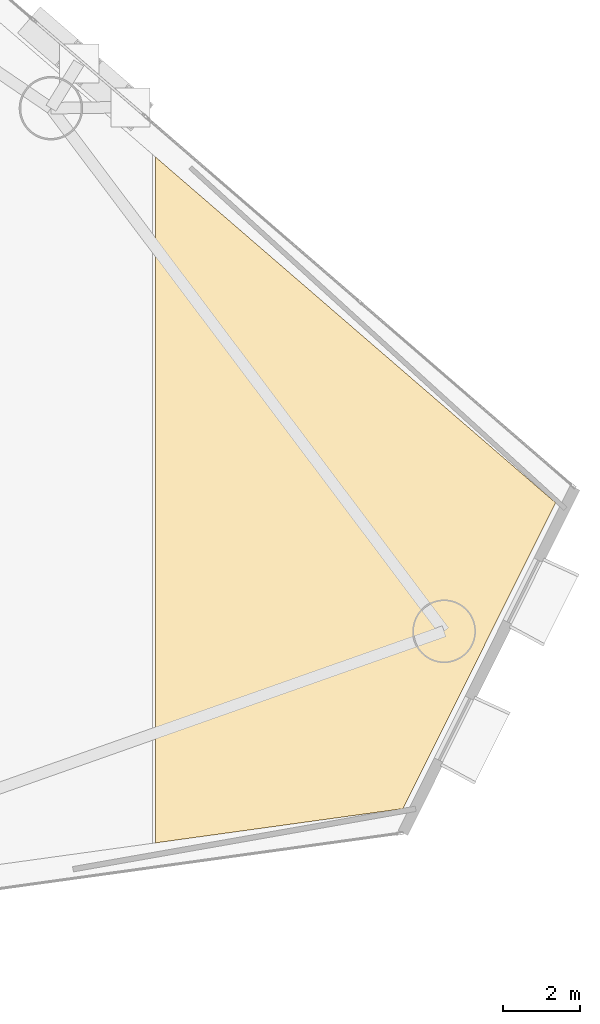
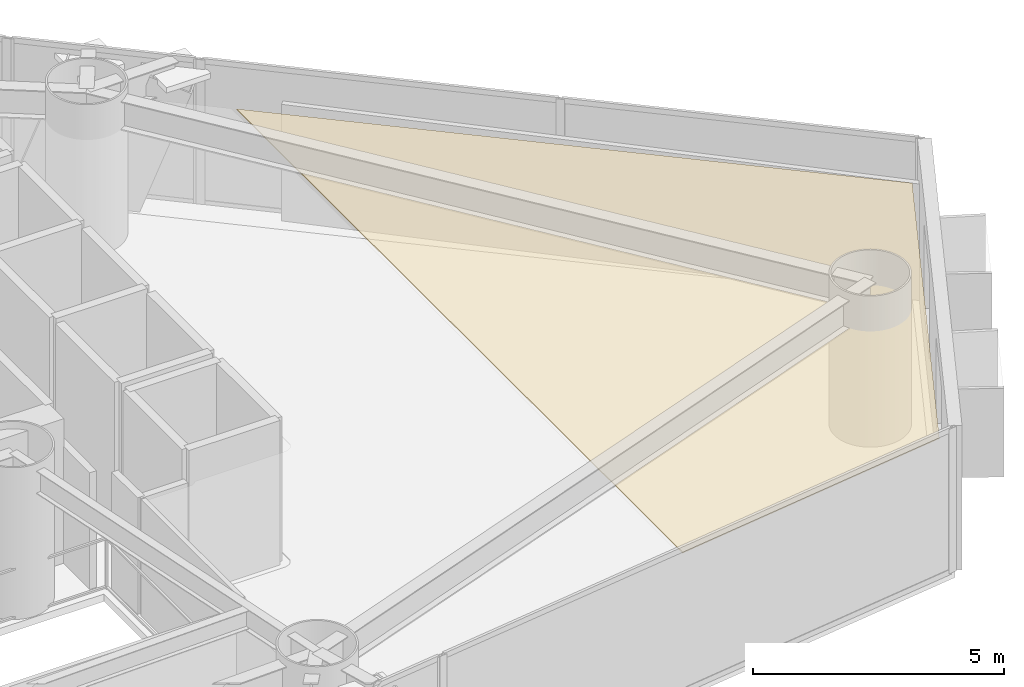
# One storey, part 23 of 23: 1 covering.
"""IFC4 building model written with IfcOpenShell, lengths in metres."""

from ifc_helpers import new_model, si_unit, direction, frame, origin, place, context, subcontext, project, spatial, polyline, outline, extrude, material, layer, layer_set, type_object, element, save


model = new_model("IFC4")

# Units and contexts
model_context = context("Model", 3, precision=1e-05, world=origin(), true_north=direction((0.0, 1.0)))
body_context = subcontext(model_context, "Body", "Model", "MODEL_VIEW")
ifc_project = project(units=[si_unit("LENGTHUNIT", "METRE"), si_unit("AREAUNIT", "SQUARE_METRE"), si_unit("VOLUMEUNIT", "CUBIC_METRE"), si_unit("PLANEANGLEUNIT", "RADIAN"), si_unit("MASSUNIT", "GRAM", prefix="KILO")], contexts=[model_context])

# Site, building, storey
site_placement = place(None, origin())
site = spatial("IfcSite", under=ifc_project, at=site_placement, CompositionType="ELEMENT")
building_placement = place(site_placement, origin())
building = spatial("IfcBuilding", under=site, at=building_placement, Name="Qianvela Tower", CompositionType="ELEMENT")
storey_placement = place(building_placement, frame((0.0, 0.0, 74.699951171875)))
storey = spatial("IfcBuildingStorey", under=building, at=storey_placement, Name="L18", CompositionType="ELEMENT", Elevation=74.699951171875)

# Covering
ifc_material = material(Name="Perforated Mineral Acoustic Ceiling Tile")
ifc_layer = layer(ifc_material, 0.02490234375)
ifc_layer_set = layer_set([ifc_layer], Name="Perforated Mineral Acoustic Ceiling Tile")
covering_type = type_object("IfcCoveringType", Name="COV-CEIL-ACOUSTIC-25", PredefinedType="CEILING", material=ifc_layer_set)
covering_placement = place(storey_placement, frame((0.0, 0.0, 2.81494140625)))
element("IfcCovering", 1, at=covering_placement, inside=storey, type_object=covering_type, Name="L18 Acoustic Ceiling Bay 2 Debate Lecture Classroom L18-03", PredefinedType="CEILING", context=body_context, shape_type="SweptSolid", body=[
    extrude(outline(polyline([(59.09326171875, 23.80712890625), (55.130126953125, 15.859619140625), (48.703857421875, 14.97119140625), (48.703857421875, 32.785400390625), (59.09326171875, 23.80712890625)])), origin(), (0.0, 0.0, 1.0), 0.025146484375),
])

save(model, "model.ifc")
